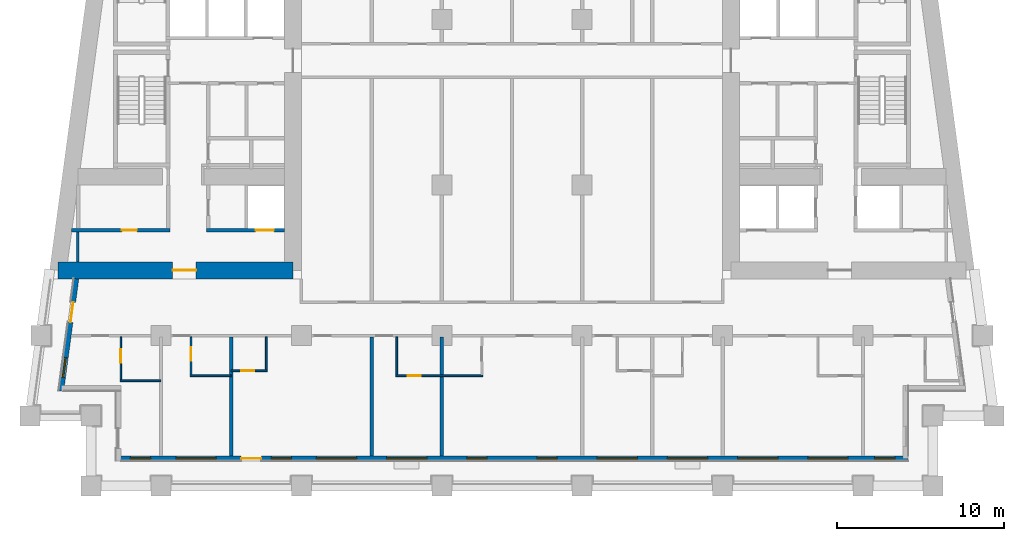
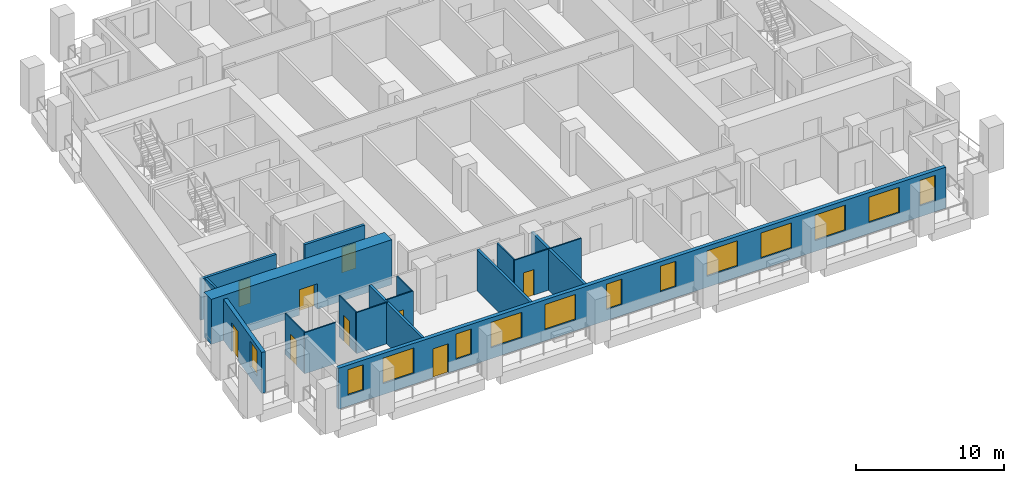
# One storey, part 2 of 13: 17 walls, 13 windows, 9 doors, 22 openings.
"""IFC4 building model written with IfcOpenShell, lengths in metres."""

from ifc_helpers import new_model, si_unit, direction, frame, frame_2d, origin, place, context, subcontext, project, spatial, rectangle, extrude, material, layer, layer_set, type_object, element, fill, save


model = new_model("IFC4")

# Units and contexts
model_context = context("Model", 3, precision=1e-05, world=origin(), true_north=direction((0.0, 1.0)))
body_context = subcontext(model_context, "Body", "Model", "MODEL_VIEW")
ifc_project = project(units=[si_unit("LENGTHUNIT", "METRE"), si_unit("AREAUNIT", "SQUARE_METRE"), si_unit("VOLUMEUNIT", "CUBIC_METRE"), si_unit("PLANEANGLEUNIT", "RADIAN"), si_unit("MASSUNIT", "GRAM", prefix="KILO")], contexts=[model_context])

# Site, building, storey
site_placement = place(None, origin())
site = spatial("IfcSite", under=ifc_project, at=site_placement, CompositionType="ELEMENT")
building_placement = place(site_placement, origin())
building = spatial("IfcBuilding", under=site, at=building_placement, Name="Candeia Pilgrim Tower and Theatre", CompositionType="ELEMENT")
storey_placement = place(building_placement, frame((0.0, 0.0, 102.10009765625)))
storey = spatial("IfcBuildingStorey", under=building, at=storey_placement, Name="L23", CompositionType="ELEMENT", Elevation=102.10009765625)

# Wall, opening, door
ifc_material_1 = material(Name="Concrete C70/85", Category="concrete")
ifc_layer_1 = layer(ifc_material_1, 1.0)
ifc_layer_set_1 = layer_set([ifc_layer_1], Name="Core wall 1000 C70/85")
wall_type_1 = type_object("IfcWallType", Name="Core wall 1000 C70/85", PredefinedType="SHEAR", material=ifc_layer_set_1)
wall_1_placement = place(storey_placement, frame((100.300048828125, 110.89990234375, 0.0), z_axis=(0.0, 0.0, 1.0), x_axis=(-1.0, 0.0, 0.0)))
wall_1 = element("IfcWall", 1, at=wall_1_placement, inside=storey, type_object=wall_type_1, Name="Core wall W3", PredefinedType="SHEAR", context=body_context, shape_type="SweptSolid", body=[
    extrude(rectangle(XDim=14.05908203125, YDim=1.0, at=frame_2d((7.029541015625, 0.0))), origin(), (0.0, 0.0, 1.0), 3.699951171875),
])
opening_1_placement = place(wall_1_placement, frame((5.801513671875, 0.0, 0.0)))
opening_1 = element("IfcOpeningElement", 2, at=opening_1_placement, cuts=wall_1, Name="Opening L23-D059", PredefinedType="OPENING", context=body_context, shape_type="SweptSolid", body=[
    extrude(rectangle(XDim=1.39990234375, YDim=2.10009765625, at=frame_2d((0.699951171875, 1.050048828125))), frame((0.0, 0.510009765625, 0.0), z_axis=(0.0, -1.0, 0.0), x_axis=(1.0, 0.0, 0.0)), (0.0, 0.0, 1.0), 1.02001953125),
])
ifc_material_2 = material(Name="Steel fire door set", Category="steel")
door_type_1 = type_object("IfcDoorType", Name="D-1400-FD60", OperationType="NOTDEFINED", PredefinedType="DOOR", material=ifc_material_2)
door_1_placement = place(opening_1_placement, origin())
door_1 = element("IfcDoor", 3, at=door_1_placement, inside=storey, type_object=door_type_1, Name="Door L23-D059", OperationType="SINGLE_SWING_RIGHT", OverallHeight=2.10009765625, OverallWidth=1.39990234375, PredefinedType="DOOR", context=body_context, shape_type="SweptSolid", body=[
    extrude(rectangle(XDim=1.39990234375, YDim=2.10009765625, at=frame_2d((0.699951171875, 1.050048828125))), frame((0.0, 0.02490234375, 0.0), z_axis=(0.0, -1.0, 0.0), x_axis=(1.0, 0.0, 0.0)), (0.0, 0.0, 1.0), 0.050048828125),
])
fill(opening_1, door_1)

# Wall, openings, door, windows
ifc_material_3 = material(Name="Ceramic block masonry", Category="masonry")
ifc_layer_2 = layer(ifc_material_3, 0.300048828125)
ifc_layer_set_2 = layer_set([ifc_layer_2], Name="EW1 glazing-line wall 300")
wall_type_2 = type_object("IfcWallType", Name="EW1 glazing-line wall 300", PredefinedType="SOLIDWALL", material=ifc_layer_set_2)
wall_2_placement = place(storey_placement, frame((89.85009765625, 99.64990234375, 0.0), z_axis=(0.0, 0.0, 1.0), x_axis=(1.0, 0.0, 0.0)))
wall_2 = element("IfcWall", 4, at=wall_2_placement, inside=storey, type_object=wall_type_2, Name="External wall L23-0.0", PredefinedType="SOLIDWALL", context=body_context, shape_type="SweptSolid", body=[
    extrude(rectangle(XDim=47.25, YDim=0.300048828125, at=frame_2d((23.625, 0.0))), origin(), (0.0, 0.0, 1.0), 3.3798828125),
])
opening_2_placement = place(wall_2_placement, frame((0.72509765625, 0.0, 0.89990234375)))
opening_2 = element("IfcOpeningElement", 5, at=opening_2_placement, cuts=wall_2, Name="Opening W-B", PredefinedType="OPENING", context=body_context, shape_type="SweptSolid", body=[
    extrude(rectangle(XDim=1.199951171875, YDim=2.10009765625, at=frame_2d((0.60009765625, 1.050048828125))), frame((0.0, 0.16015625, 0.0), z_axis=(0.0, -1.0, 0.0), x_axis=(1.0, 0.0, 0.0)), (0.0, 0.0, 1.0), 0.320068359375),
])
opening_3_placement = place(wall_2_placement, frame((3.449951171875, 0.0, 0.89990234375)))
opening_3 = element("IfcOpeningElement", 6, at=opening_3_placement, cuts=wall_2, Name="Opening W-A", PredefinedType="OPENING", context=body_context, shape_type="SweptSolid", body=[
    extrude(rectangle(XDim=2.39990234375, YDim=2.10009765625, at=frame_2d((1.199951171875, 1.050048828125))), frame((0.0, 0.16015625, 0.0), z_axis=(0.0, -1.0, 0.0), x_axis=(1.0, 0.0, 0.0)), (0.0, 0.0, 1.0), 0.320068359375),
])
opening_4_placement = place(wall_2_placement, frame((7.35009765625, 0.0, 0.0)))
opening_4 = element("IfcOpeningElement", 7, at=opening_4_placement, cuts=wall_2, Name="Opening L23-ED234", PredefinedType="OPENING", context=body_context, shape_type="SweptSolid", body=[
    extrude(rectangle(XDim=1.199951171875, YDim=2.39990234375, at=frame_2d((0.60009765625, 1.199951171875))), frame((0.0, 0.16015625, 0.0), z_axis=(0.0, -1.0, 0.0), x_axis=(1.0, 0.0, 0.0)), (0.0, 0.0, 1.0), 0.320068359375),
])
opening_5_placement = place(wall_2_placement, frame((9.14990234375, 0.0, 0.89990234375)))
opening_5 = element("IfcOpeningElement", 8, at=opening_5_placement, cuts=wall_2, Name="Opening W-B", PredefinedType="OPENING", context=body_context, shape_type="SweptSolid", body=[
    extrude(rectangle(XDim=1.199951171875, YDim=2.10009765625, at=frame_2d((0.60009765625, 1.050048828125))), frame((0.0, 0.16015625, 0.0), z_axis=(0.0, -1.0, 0.0), x_axis=(1.0, 0.0, 0.0)), (0.0, 0.0, 1.0), 0.320068359375),
])
opening_6_placement = place(wall_2_placement, frame((11.85009765625, 0.0, 0.89990234375)))
opening_6 = element("IfcOpeningElement", 9, at=opening_6_placement, cuts=wall_2, Name="Opening W-A", PredefinedType="OPENING", context=body_context, shape_type="SweptSolid", body=[
    extrude(rectangle(XDim=2.39990234375, YDim=2.10009765625, at=frame_2d((1.199951171875, 1.050048828125))), frame((0.0, 0.16015625, 0.0), z_axis=(0.0, -1.0, 0.0), x_axis=(1.0, 0.0, 0.0)), (0.0, 0.0, 1.0), 0.320068359375),
])
opening_7_placement = place(wall_2_placement, frame((16.050048828125, 0.0, 0.89990234375)))
opening_7 = element("IfcOpeningElement", 10, at=opening_7_placement, cuts=wall_2, Name="Opening W-A", PredefinedType="OPENING", context=body_context, shape_type="SweptSolid", body=[
    extrude(rectangle(XDim=2.39990234375, YDim=2.10009765625, at=frame_2d((1.199951171875, 1.050048828125))), frame((0.0, 0.16015625, 0.0), z_axis=(0.0, -1.0, 0.0), x_axis=(1.0, 0.0, 0.0)), (0.0, 0.0, 1.0), 0.320068359375),
])
opening_8_placement = place(wall_2_placement, frame((20.85009765625, 0.0, 0.89990234375)))
opening_8 = element("IfcOpeningElement", 11, at=opening_8_placement, cuts=wall_2, Name="Opening W-B", PredefinedType="OPENING", context=body_context, shape_type="SweptSolid", body=[
    extrude(rectangle(XDim=1.199951171875, YDim=2.10009765625, at=frame_2d((0.60009765625, 1.050048828125))), frame((0.0, 0.16015625, 0.0), z_axis=(0.0, -1.0, 0.0), x_axis=(1.0, 0.0, 0.0)), (0.0, 0.0, 1.0), 0.320068359375),
])
opening_9_placement = place(wall_2_placement, frame((25.050048828125, 0.0, 0.89990234375)))
opening_9 = element("IfcOpeningElement", 12, at=opening_9_placement, cuts=wall_2, Name="Opening W-B", PredefinedType="OPENING", context=body_context, shape_type="SweptSolid", body=[
    extrude(rectangle(XDim=1.199951171875, YDim=2.10009765625, at=frame_2d((0.60009765625, 1.050048828125))), frame((0.0, 0.16015625, 0.0), z_axis=(0.0, -1.0, 0.0), x_axis=(1.0, 0.0, 0.0)), (0.0, 0.0, 1.0), 0.320068359375),
])
opening_10_placement = place(wall_2_placement, frame((28.64990234375, 0.0, 0.89990234375)))
opening_10 = element("IfcOpeningElement", 13, at=opening_10_placement, cuts=wall_2, Name="Opening W-A", PredefinedType="OPENING", context=body_context, shape_type="SweptSolid", body=[
    extrude(rectangle(XDim=2.39990234375, YDim=2.10009765625, at=frame_2d((1.199951171875, 1.050048828125))), frame((0.0, 0.16015625, 0.0), z_axis=(0.0, -1.0, 0.0), x_axis=(1.0, 0.0, 0.0)), (0.0, 0.0, 1.0), 0.320068359375),
])
opening_11_placement = place(wall_2_placement, frame((32.85009765625, 0.0, 0.89990234375)))
opening_11 = element("IfcOpeningElement", 14, at=opening_11_placement, cuts=wall_2, Name="Opening W-A", PredefinedType="OPENING", context=body_context, shape_type="SweptSolid", body=[
    extrude(rectangle(XDim=2.39990234375, YDim=2.10009765625, at=frame_2d((1.199951171875, 1.050048828125))), frame((0.0, 0.16015625, 0.0), z_axis=(0.0, -1.0, 0.0), x_axis=(1.0, 0.0, 0.0)), (0.0, 0.0, 1.0), 0.320068359375),
])
opening_12_placement = place(wall_2_placement, frame((37.050048828125, 0.0, 0.89990234375)))
opening_12 = element("IfcOpeningElement", 15, at=opening_12_placement, cuts=wall_2, Name="Opening W-A", PredefinedType="OPENING", context=body_context, shape_type="SweptSolid", body=[
    extrude(rectangle(XDim=2.39990234375, YDim=2.10009765625, at=frame_2d((1.199951171875, 1.050048828125))), frame((0.0, 0.16015625, 0.0), z_axis=(0.0, -1.0, 0.0), x_axis=(1.0, 0.0, 0.0)), (0.0, 0.0, 1.0), 0.320068359375),
])
opening_13_placement = place(wall_2_placement, frame((41.25, 0.0, 0.89990234375)))
opening_13 = element("IfcOpeningElement", 16, at=opening_13_placement, cuts=wall_2, Name="Opening W-A", PredefinedType="OPENING", context=body_context, shape_type="SweptSolid", body=[
    extrude(rectangle(XDim=2.39990234375, YDim=2.10009765625, at=frame_2d((1.199951171875, 1.050048828125))), frame((0.0, 0.16015625, 0.0), z_axis=(0.0, -1.0, 0.0), x_axis=(1.0, 0.0, 0.0)), (0.0, 0.0, 1.0), 0.320068359375),
])
opening_14_placement = place(wall_2_placement, frame((45.25, 0.0, 0.89990234375)))
opening_14 = element("IfcOpeningElement", 17, at=opening_14_placement, cuts=wall_2, Name="Opening W-B", PredefinedType="OPENING", context=body_context, shape_type="SweptSolid", body=[
    extrude(rectangle(XDim=1.199951171875, YDim=2.10009765625, at=frame_2d((0.60009765625, 1.050048828125))), frame((0.0, 0.16015625, 0.0), z_axis=(0.0, -1.0, 0.0), x_axis=(1.0, 0.0, 0.0)), (0.0, 0.0, 1.0), 0.320068359375),
])
ifc_material_4 = material(Name="Aluminium framed glazed door", Category="aluminium")
door_type_2 = type_object("IfcDoorType", Name="Loggia door 1200x2400", OperationType="DOUBLE_DOOR_SINGLE_SWING", PredefinedType="DOOR", material=ifc_material_4)
door_2_placement = place(opening_4_placement, origin())
door_2 = element("IfcDoor", 18, at=door_2_placement, inside=storey, type_object=door_type_2, Name="Loggia door L23-ED234", OperationType="DOUBLE_DOOR_SINGLE_SWING", OverallHeight=2.39990234375, OverallWidth=1.199951171875, PredefinedType="DOOR", context=body_context, shape_type="SweptSolid", body=[
    extrude(rectangle(XDim=1.199951171875, YDim=2.39990234375, at=frame_2d((0.60009765625, 1.199951171875))), frame((0.0, 0.02490234375, 0.0), z_axis=(0.0, -1.0, 0.0), x_axis=(1.0, 0.0, 0.0)), (0.0, 0.0, 1.0), 0.050048828125),
])
fill(opening_4, door_2)
ifc_material_5 = material(Name="Aluminium framed double glazing", Category="aluminium")
window_type_1 = type_object("IfcWindowType", Name="W-A window 2400x2100", PartitioningType="DOUBLE_PANEL_VERTICAL", PredefinedType="WINDOW", material=ifc_material_5)
window_1_placement = place(opening_3_placement, origin())
window_1 = element("IfcWindow", 19, at=window_1_placement, inside=storey, type_object=window_type_1, Name="Window W-A L23", OverallHeight=2.10009765625, OverallWidth=2.39990234375, PartitioningType="SINGLE_PANEL", PredefinedType="WINDOW", context=body_context, shape_type="SweptSolid", body=[
    extrude(rectangle(XDim=2.39990234375, YDim=2.10009765625, at=frame_2d((1.199951171875, 1.050048828125))), frame((0.0, 0.030029296875, 0.0), z_axis=(0.0, -1.0, 0.0), x_axis=(1.0, 0.0, 0.0)), (0.0, 0.0, 1.0), 0.06005859375),
])
fill(opening_3, window_1)
window_2_placement = place(opening_6_placement, origin())
window_2 = element("IfcWindow", 20, at=window_2_placement, inside=storey, type_object=window_type_1, Name="Window W-A L23", OverallHeight=2.10009765625, OverallWidth=2.39990234375, PartitioningType="SINGLE_PANEL", PredefinedType="WINDOW", context=body_context, shape_type="SweptSolid", body=[
    extrude(rectangle(XDim=2.39990234375, YDim=2.10009765625, at=frame_2d((1.199951171875, 1.050048828125))), frame((0.0, 0.030029296875, 0.0), z_axis=(0.0, -1.0, 0.0), x_axis=(1.0, 0.0, 0.0)), (0.0, 0.0, 1.0), 0.06005859375),
])
fill(opening_6, window_2)
window_3_placement = place(opening_7_placement, origin())
window_3 = element("IfcWindow", 21, at=window_3_placement, inside=storey, type_object=window_type_1, Name="Window W-A L23", OverallHeight=2.10009765625, OverallWidth=2.39990234375, PartitioningType="SINGLE_PANEL", PredefinedType="WINDOW", context=body_context, shape_type="SweptSolid", body=[
    extrude(rectangle(XDim=2.39990234375, YDim=2.10009765625, at=frame_2d((1.199951171875, 1.050048828125))), frame((0.0, 0.030029296875, 0.0), z_axis=(0.0, -1.0, 0.0), x_axis=(1.0, 0.0, 0.0)), (0.0, 0.0, 1.0), 0.06005859375),
])
fill(opening_7, window_3)
window_4_placement = place(opening_10_placement, origin())
window_4 = element("IfcWindow", 22, at=window_4_placement, inside=storey, type_object=window_type_1, Name="Window W-A L23", OverallHeight=2.10009765625, OverallWidth=2.39990234375, PartitioningType="SINGLE_PANEL", PredefinedType="WINDOW", context=body_context, shape_type="SweptSolid", body=[
    extrude(rectangle(XDim=2.39990234375, YDim=2.10009765625, at=frame_2d((1.199951171875, 1.050048828125))), frame((0.0, 0.030029296875, 0.0), z_axis=(0.0, -1.0, 0.0), x_axis=(1.0, 0.0, 0.0)), (0.0, 0.0, 1.0), 0.06005859375),
])
fill(opening_10, window_4)
window_5_placement = place(opening_11_placement, origin())
window_5 = element("IfcWindow", 23, at=window_5_placement, inside=storey, type_object=window_type_1, Name="Window W-A L23", OverallHeight=2.10009765625, OverallWidth=2.39990234375, PartitioningType="SINGLE_PANEL", PredefinedType="WINDOW", context=body_context, shape_type="SweptSolid", body=[
    extrude(rectangle(XDim=2.39990234375, YDim=2.10009765625, at=frame_2d((1.199951171875, 1.050048828125))), frame((0.0, 0.030029296875, 0.0), z_axis=(0.0, -1.0, 0.0), x_axis=(1.0, 0.0, 0.0)), (0.0, 0.0, 1.0), 0.06005859375),
])
fill(opening_11, window_5)
window_6_placement = place(opening_12_placement, origin())
window_6 = element("IfcWindow", 24, at=window_6_placement, inside=storey, type_object=window_type_1, Name="Window W-A L23", OverallHeight=2.10009765625, OverallWidth=2.39990234375, PartitioningType="SINGLE_PANEL", PredefinedType="WINDOW", context=body_context, shape_type="SweptSolid", body=[
    extrude(rectangle(XDim=2.39990234375, YDim=2.10009765625, at=frame_2d((1.199951171875, 1.050048828125))), frame((0.0, 0.030029296875, 0.0), z_axis=(0.0, -1.0, 0.0), x_axis=(1.0, 0.0, 0.0)), (0.0, 0.0, 1.0), 0.06005859375),
])
fill(opening_12, window_6)
window_7_placement = place(opening_13_placement, origin())
window_7 = element("IfcWindow", 25, at=window_7_placement, inside=storey, type_object=window_type_1, Name="Window W-A L23", OverallHeight=2.10009765625, OverallWidth=2.39990234375, PartitioningType="SINGLE_PANEL", PredefinedType="WINDOW", context=body_context, shape_type="SweptSolid", body=[
    extrude(rectangle(XDim=2.39990234375, YDim=2.10009765625, at=frame_2d((1.199951171875, 1.050048828125))), frame((0.0, 0.030029296875, 0.0), z_axis=(0.0, -1.0, 0.0), x_axis=(1.0, 0.0, 0.0)), (0.0, 0.0, 1.0), 0.06005859375),
])
fill(opening_13, window_7)
window_type_2 = type_object("IfcWindowType", Name="W-B window 1200x2100", PartitioningType="SINGLE_PANEL", PredefinedType="WINDOW", material=ifc_material_5)
window_8_placement = place(opening_2_placement, origin())
window_8 = element("IfcWindow", 26, at=window_8_placement, inside=storey, type_object=window_type_2, Name="Window W-B L23", OverallHeight=2.10009765625, OverallWidth=1.199951171875, PartitioningType="SINGLE_PANEL", PredefinedType="WINDOW", context=body_context, shape_type="SweptSolid", body=[
    extrude(rectangle(XDim=1.199951171875, YDim=2.10009765625, at=frame_2d((0.60009765625, 1.050048828125))), frame((0.0, 0.030029296875, 0.0), z_axis=(0.0, -1.0, 0.0), x_axis=(1.0, 0.0, 0.0)), (0.0, 0.0, 1.0), 0.06005859375),
])
fill(opening_2, window_8)
window_9_placement = place(opening_5_placement, origin())
window_9 = element("IfcWindow", 27, at=window_9_placement, inside=storey, type_object=window_type_2, Name="Window W-B L23", OverallHeight=2.10009765625, OverallWidth=1.199951171875, PartitioningType="SINGLE_PANEL", PredefinedType="WINDOW", context=body_context, shape_type="SweptSolid", body=[
    extrude(rectangle(XDim=1.199951171875, YDim=2.10009765625, at=frame_2d((0.60009765625, 1.050048828125))), frame((0.0, 0.030029296875, 0.0), z_axis=(0.0, -1.0, 0.0), x_axis=(1.0, 0.0, 0.0)), (0.0, 0.0, 1.0), 0.06005859375),
])
fill(opening_5, window_9)
window_10_placement = place(opening_8_placement, origin())
window_10 = element("IfcWindow", 28, at=window_10_placement, inside=storey, type_object=window_type_2, Name="Window W-B L23", OverallHeight=2.10009765625, OverallWidth=1.199951171875, PartitioningType="SINGLE_PANEL", PredefinedType="WINDOW", context=body_context, shape_type="SweptSolid", body=[
    extrude(rectangle(XDim=1.199951171875, YDim=2.10009765625, at=frame_2d((0.60009765625, 1.050048828125))), frame((0.0, 0.030029296875, 0.0), z_axis=(0.0, -1.0, 0.0), x_axis=(1.0, 0.0, 0.0)), (0.0, 0.0, 1.0), 0.06005859375),
])
fill(opening_8, window_10)
window_11_placement = place(opening_9_placement, origin())
window_11 = element("IfcWindow", 29, at=window_11_placement, inside=storey, type_object=window_type_2, Name="Window W-B L23", OverallHeight=2.10009765625, OverallWidth=1.199951171875, PartitioningType="SINGLE_PANEL", PredefinedType="WINDOW", context=body_context, shape_type="SweptSolid", body=[
    extrude(rectangle(XDim=1.199951171875, YDim=2.10009765625, at=frame_2d((0.60009765625, 1.050048828125))), frame((0.0, 0.030029296875, 0.0), z_axis=(0.0, -1.0, 0.0), x_axis=(1.0, 0.0, 0.0)), (0.0, 0.0, 1.0), 0.06005859375),
])
fill(opening_9, window_11)
window_12_placement = place(opening_14_placement, origin())
window_12 = element("IfcWindow", 30, at=window_12_placement, inside=storey, type_object=window_type_2, Name="Window W-B L23", OverallHeight=2.10009765625, OverallWidth=1.199951171875, PartitioningType="SINGLE_PANEL", PredefinedType="WINDOW", context=body_context, shape_type="SweptSolid", body=[
    extrude(rectangle(XDim=1.199951171875, YDim=2.10009765625, at=frame_2d((0.60009765625, 1.050048828125))), frame((0.0, 0.030029296875, 0.0), z_axis=(0.0, -1.0, 0.0), x_axis=(1.0, 0.0, 0.0)), (0.0, 0.0, 1.0), 0.06005859375),
])
fill(opening_14, window_12)

# Wall, openings, door, window
wall_3_placement = place(storey_placement, frame((87.334228515625, 110.39990234375, 0.0), z_axis=(0.0, 0.0, 1.0), x_axis=(-0.133437175554, -0.991057273915, 0.0)))
wall_3 = element("IfcWall", 31, at=wall_3_placement, inside=storey, type_object=wall_type_2, Name="External wall L23-9.1", PredefinedType="SOLIDWALL", context=body_context, shape_type="SweptSolid", body=[
    extrude(rectangle(XDim=6.780517578125, YDim=0.300048828125, at=frame_2d((3.39013671875, 0.0))), origin(), (0.0, 0.0, 1.0), 3.3798828125),
])
opening_15_placement = place(wall_3_placement, frame((1.41796875, 0.0, 0.0)))
opening_15 = element("IfcOpeningElement", 32, at=opening_15_placement, cuts=wall_3, Name="Opening L23-ED241", PredefinedType="OPENING", context=body_context, shape_type="SweptSolid", body=[
    extrude(rectangle(XDim=1.199951171875, YDim=2.39990234375, at=frame_2d((0.60009765625, 1.199951171875))), frame((0.0, 0.16015625, 0.0), z_axis=(0.0, -1.0, 0.0), x_axis=(1.0, 0.0, 0.0)), (0.0, 0.0, 1.0), 0.320068359375),
])
opening_16_placement = place(wall_3_placement, frame((4.75830078125, 0.0, 0.89990234375)))
opening_16 = element("IfcOpeningElement", 33, at=opening_16_placement, cuts=wall_3, Name="Opening W-B", PredefinedType="OPENING", context=body_context, shape_type="SweptSolid", body=[
    extrude(rectangle(XDim=1.199951171875, YDim=2.10009765625, at=frame_2d((0.60009765625, 1.050048828125))), frame((0.0, 0.16015625, 0.0), z_axis=(0.0, -1.0, 0.0), x_axis=(1.0, 0.0, 0.0)), (0.0, 0.0, 1.0), 0.320068359375),
])
door_3_placement = place(opening_15_placement, origin())
door_3 = element("IfcDoor", 34, at=door_3_placement, inside=storey, type_object=door_type_2, Name="Loggia door L23-ED241", OperationType="DOUBLE_DOOR_SINGLE_SWING", OverallHeight=2.39990234375, OverallWidth=1.199951171875, PredefinedType="DOOR", context=body_context, shape_type="SweptSolid", body=[
    extrude(rectangle(XDim=1.199951171875, YDim=2.39990234375, at=frame_2d((0.60009765625, 1.199951171875))), frame((0.0, 0.02490234375, 0.0), z_axis=(0.0, -1.0, 0.0), x_axis=(1.0, 0.0, 0.0)), (0.0, 0.0, 1.0), 0.050048828125),
])
fill(opening_15, door_3)
window_13_placement = place(opening_16_placement, origin())
window_13 = element("IfcWindow", 35, at=window_13_placement, inside=storey, type_object=window_type_2, Name="Window W-B L23", OverallHeight=2.10009765625, OverallWidth=1.199951171875, PartitioningType="SINGLE_PANEL", PredefinedType="WINDOW", context=body_context, shape_type="SweptSolid", body=[
    extrude(rectangle(XDim=1.199951171875, YDim=2.10009765625, at=frame_2d((0.60009765625, 1.050048828125))), frame((0.0, 0.030029296875, 0.0), z_axis=(0.0, -1.0, 0.0), x_axis=(1.0, 0.0, 0.0)), (0.0, 0.0, 1.0), 0.06005859375),
])
fill(opening_16, window_13)

# Walls
ifc_material_6 = material(Name="Gypsum board partition on steel studs", Category="steel")
ifc_layer_3 = layer(ifc_material_6, 0.10009765625)
ifc_layer_set_3 = layer_set([ifc_layer_3], Name="PW-100 room partition")
wall_type_3 = type_object("IfcWallType", Name="PW-100 room partition", PredefinedType="PARTITIONING", material=ifc_layer_set_3)
wall_4_placement = place(storey_placement, frame((89.949951171875, 104.300048828125, 0.0), z_axis=(0.0, 0.0, 1.0), x_axis=(1.0, 0.0, 0.0)))
element("IfcWall", 36, at=wall_4_placement, inside=storey, type_object=wall_type_3, Name="Room partition L23-001", PredefinedType="PARTITIONING", context=body_context, shape_type="SweptSolid", body=[
    extrude(rectangle(XDim=2.449951171875, YDim=0.10009765625, at=frame_2d((1.22509765625, 0.0))), origin(), (0.0, 0.0, 1.0), 3.3798828125),
])
wall_5_placement = place(storey_placement, frame((94.14990234375, 104.60009765625, 0.0), z_axis=(0.0, 0.0, 1.0), x_axis=(1.0, 0.0, 0.0)))
element("IfcWall", 37, at=wall_5_placement, inside=storey, type_object=wall_type_3, Name="Room partition L23-003", PredefinedType="PARTITIONING", context=body_context, shape_type="SweptSolid", body=[
    extrude(rectangle(XDim=2.4501953125, YDim=0.10009765625, at=frame_2d((1.22509765625, 0.0))), origin(), (0.0, 0.0, 1.0), 3.3798828125),
])

# Wall, opening, door
wall_6_placement = place(storey_placement, frame((106.449951171875, 104.60009765625, 0.0), z_axis=(0.0, 0.0, 1.0), x_axis=(1.0, 0.0, 0.0)))
wall_6 = element("IfcWall", 38, at=wall_6_placement, inside=storey, type_object=wall_type_3, Name="Room partition L23-004", PredefinedType="PARTITIONING", context=body_context, shape_type="SweptSolid", body=[
    extrude(rectangle(XDim=5.199951171875, YDim=0.10009765625, at=frame_2d((2.60009765625, 0.0))), origin(), (0.0, 0.0, 1.0), 3.3798828125),
])
opening_17_placement = place(wall_6_placement, frame((0.699951171875, 0.0, 0.0)))
opening_17 = element("IfcOpeningElement", 39, at=opening_17_placement, cuts=wall_6, Name="Opening L23-D023", PredefinedType="OPENING", context=body_context, shape_type="SweptSolid", body=[
    extrude(rectangle(XDim=0.800048828125, YDim=2.10009765625, at=frame_2d((0.39990234375, 1.050048828125))), frame((0.0, 0.06005859375, 0.0), z_axis=(0.0, -1.0, 0.0), x_axis=(1.0, 0.0, 0.0)), (0.0, 0.0, 1.0), 0.1201171875),
])
ifc_material_7 = material(Name="Timber door leaf", Category="wood")
door_type_3 = type_object("IfcDoorType", Name="D-800", OperationType="NOTDEFINED", PredefinedType="DOOR", material=ifc_material_7)
door_4_placement = place(opening_17_placement, origin())
door_4 = element("IfcDoor", 40, at=door_4_placement, inside=storey, type_object=door_type_3, Name="Door L23-D023", OperationType="SINGLE_SWING_RIGHT", OverallHeight=2.10009765625, OverallWidth=0.800048828125, PredefinedType="DOOR", context=body_context, shape_type="SweptSolid", body=[
    extrude(rectangle(XDim=0.800048828125, YDim=2.10009765625, at=frame_2d((0.39990234375, 1.050048828125))), frame((0.0, 0.02490234375, 0.0), z_axis=(0.0, -1.0, 0.0), x_axis=(1.0, 0.0, 0.0)), (0.0, 0.0, 1.0), 0.050048828125),
])
fill(opening_17, door_4)

wall_7_placement = place(storey_placement, frame((96.60009765625, 104.89990234375, 0.0), z_axis=(0.0, 0.0, 1.0), x_axis=(1.0, 0.0, 0.0)))
wall_7 = element("IfcWall", 41, at=wall_7_placement, inside=storey, type_object=wall_type_3, Name="Room partition L23-007", PredefinedType="PARTITIONING", context=body_context, shape_type="SweptSolid", body=[
    extrude(rectangle(XDim=2.14990234375, YDim=0.10009765625, at=frame_2d((1.074951171875, 0.0))), origin(), (0.0, 0.0, 1.0), 3.3798828125),
])
opening_18_placement = place(wall_7_placement, frame((0.590087890625, 0.0, 0.0)))
opening_18 = element("IfcOpeningElement", 42, at=opening_18_placement, cuts=wall_7, Name="Opening L23-D021", PredefinedType="OPENING", context=body_context, shape_type="SweptSolid", body=[
    extrude(rectangle(XDim=0.800048828125, YDim=2.10009765625, at=frame_2d((0.39990234375, 1.050048828125))), frame((0.0, 0.06005859375, 0.0), z_axis=(0.0, -1.0, 0.0), x_axis=(1.0, 0.0, 0.0)), (0.0, 0.0, 1.0), 0.1201171875),
])
door_5_placement = place(opening_18_placement, origin())
door_5 = element("IfcDoor", 43, at=door_5_placement, inside=storey, type_object=door_type_3, Name="Door L23-D021", OperationType="SINGLE_SWING_RIGHT", OverallHeight=2.10009765625, OverallWidth=0.800048828125, PredefinedType="DOOR", context=body_context, shape_type="SweptSolid", body=[
    extrude(rectangle(XDim=0.800048828125, YDim=2.10009765625, at=frame_2d((0.39990234375, 1.050048828125))), frame((0.0, 0.02490234375, 0.0), z_axis=(0.0, -1.0, 0.0), x_axis=(1.0, 0.0, 0.0)), (0.0, 0.0, 1.0), 0.050048828125),
])
fill(opening_18, door_5)

wall_8_placement = place(storey_placement, frame((90.0, 104.35009765625, 0.0), z_axis=(0.0, 0.0, 1.0), x_axis=(0.0, 1.0, 0.0)))
wall_8 = element("IfcWall", 44, at=wall_8_placement, inside=storey, type_object=wall_type_3, Name="Room partition L23-052", PredefinedType="PARTITIONING", context=body_context, shape_type="SweptSolid", body=[
    extrude(rectangle(XDim=2.574951171875, YDim=0.10009765625, at=frame_2d((1.28759765625, 0.0))), origin(), (0.0, 0.0, 1.0), 3.3798828125),
])
opening_19_placement = place(wall_8_placement, frame((1.02001953125, 0.0, 0.0)))
opening_19 = element("IfcOpeningElement", 45, at=opening_19_placement, cuts=wall_8, Name="Opening L23-D017", PredefinedType="OPENING", context=body_context, shape_type="SweptSolid", body=[
    extrude(rectangle(XDim=0.800048828125, YDim=2.10009765625, at=frame_2d((0.39990234375, 1.050048828125))), frame((0.0, 0.06005859375, 0.0), z_axis=(0.0, -1.0, 0.0), x_axis=(1.0, 0.0, 0.0)), (0.0, 0.0, 1.0), 0.1201171875),
])
door_6_placement = place(opening_19_placement, origin())
door_6 = element("IfcDoor", 46, at=door_6_placement, inside=storey, type_object=door_type_3, Name="Door L23-D017", OperationType="SINGLE_SWING_RIGHT", OverallHeight=2.10009765625, OverallWidth=0.800048828125, PredefinedType="DOOR", context=body_context, shape_type="SweptSolid", body=[
    extrude(rectangle(XDim=0.800048828125, YDim=2.10009765625, at=frame_2d((0.39990234375, 1.050048828125))), frame((0.0, 0.02490234375, 0.0), z_axis=(0.0, -1.0, 0.0), x_axis=(1.0, 0.0, 0.0)), (0.0, 0.0, 1.0), 0.050048828125),
])
fill(opening_19, door_6)

wall_9_placement = place(storey_placement, frame((94.199951171875, 104.64990234375, 0.0), z_axis=(0.0, 0.0, 1.0), x_axis=(0.0, 1.0, 0.0)))
wall_9 = element("IfcWall", 47, at=wall_9_placement, inside=storey, type_object=wall_type_3, Name="Room partition L23-060", PredefinedType="PARTITIONING", context=body_context, shape_type="SweptSolid", body=[
    extrude(rectangle(XDim=2.275146484375, YDim=0.10009765625, at=frame_2d((1.1376953125, 0.0))), origin(), (0.0, 0.0, 1.0), 3.3798828125),
])
opening_20_placement = place(wall_9_placement, frame((0.840087890625, 0.0, 0.0)))
opening_20 = element("IfcOpeningElement", 48, at=opening_20_placement, cuts=wall_9, Name="Opening L23-D019", PredefinedType="OPENING", context=body_context, shape_type="SweptSolid", body=[
    extrude(rectangle(XDim=0.800048828125, YDim=2.10009765625, at=frame_2d((0.39990234375, 1.050048828125))), frame((0.0, 0.06005859375, 0.0), z_axis=(0.0, -1.0, 0.0), x_axis=(1.0, 0.0, 0.0)), (0.0, 0.0, 1.0), 0.1201171875),
])
door_7_placement = place(opening_20_placement, origin())
door_7 = element("IfcDoor", 49, at=door_7_placement, inside=storey, type_object=door_type_3, Name="Door L23-D019", OperationType="SINGLE_SWING_RIGHT", OverallHeight=2.10009765625, OverallWidth=0.800048828125, PredefinedType="DOOR", context=body_context, shape_type="SweptSolid", body=[
    extrude(rectangle(XDim=0.800048828125, YDim=2.10009765625, at=frame_2d((0.39990234375, 1.050048828125))), frame((0.0, 0.02490234375, 0.0), z_axis=(0.0, -1.0, 0.0), x_axis=(1.0, 0.0, 0.0)), (0.0, 0.0, 1.0), 0.050048828125),
])
fill(opening_20, door_7)

# Walls
wall_10_placement = place(storey_placement, frame((98.699951171875, 104.949951171875, 0.0), z_axis=(0.0, 0.0, 1.0), x_axis=(0.0, 1.0, 0.0)))
element("IfcWall", 50, at=wall_10_placement, inside=storey, type_object=wall_type_3, Name="Room partition L23-071", PredefinedType="PARTITIONING", context=body_context, shape_type="SweptSolid", body=[
    extrude(rectangle(XDim=1.97509765625, YDim=0.10009765625, at=frame_2d((0.987548828125, 0.0))), origin(), (0.0, 0.0, 1.0), 3.3798828125),
])
wall_11_placement = place(storey_placement, frame((106.5, 104.64990234375, 0.0), z_axis=(0.0, 0.0, 1.0), x_axis=(0.0, 1.0, 0.0)))
element("IfcWall", 51, at=wall_11_placement, inside=storey, type_object=wall_type_3, Name="Room partition L23-079", PredefinedType="PARTITIONING", context=body_context, shape_type="SweptSolid", body=[
    extrude(rectangle(XDim=2.275146484375, YDim=0.10009765625, at=frame_2d((1.1376953125, 0.0))), origin(), (0.0, 0.0, 1.0), 3.3798828125),
])
ifc_layer_4 = layer(ifc_material_6, 0.14990234375)
ifc_layer_set_4 = layer_set([ifc_layer_4], Name="PW-150 lobby wall")
wall_type_4 = type_object("IfcWallType", Name="PW-150 lobby wall", PredefinedType="PARTITIONING", material=ifc_layer_set_4)
wall_12_placement = place(storey_placement, frame((87.428955078125, 111.39990234375, 0.0), z_axis=(0.0, 0.0, 1.0), x_axis=(0.0, 1.0, 0.0)))
element("IfcWall", 52, at=wall_12_placement, inside=storey, type_object=wall_type_4, Name="Lobby wall L23-049", PredefinedType="PARTITIONING", context=body_context, shape_type="SweptSolid", body=[
    extrude(rectangle(XDim=1.800048828125, YDim=0.14990234375, at=frame_2d((0.89990234375, 0.0))), origin(), (0.0, 0.0, 1.0), 3.3798828125),
])
ifc_layer_5 = layer(ifc_material_6, 0.199951171875)
ifc_layer_set_5 = layer_set([ifc_layer_5], Name="PW-200 party wall")
wall_type_5 = type_object("IfcWallType", Name="PW-200 party wall", PredefinedType="PARTITIONING", material=ifc_layer_set_5)
for number, where, z_axis, x_axis, name in (
    (53, (96.60009765625, 99.7900390625, 0.0), (0.0, 0.0, 1.0), (0.0, 1.0, 0.0), "Party wall L23-065"),
    (54, (105.0, 99.7900390625, 0.0), (0.0, 0.0, 1.0), (0.0, 1.0, 0.0), "Party wall L23-075"),
    (55, (109.199951171875, 99.7900390625, 0.0), (0.0, 0.0, 1.0), (0.0, 1.0, 0.0), "Party wall L23-082"),
):
    element("IfcWall", number, at=place(storey_placement, frame(where, z_axis=z_axis, x_axis=x_axis)), inside=storey, type_object=wall_type_5, Name=name, PredefinedType="PARTITIONING", context=body_context, shape_type="SweptSolid", body=[
        extrude(rectangle(XDim=7.135009765625, YDim=0.199951171875, at=frame_2d((3.5673828125, 0.0))), origin(), (0.0, 0.0, 1.0), 3.3798828125),
    ])

# Wall, opening, door
ifc_material_8 = material(Name="Concrete C40/50", Category="concrete")
ifc_layer_6 = layer(ifc_material_8, 0.199951171875)
ifc_layer_set_6 = layer_set([ifc_layer_6], Name="SW-200 shaft wall")
wall_type_6 = type_object("IfcWallType", Name="SW-200 shaft wall", PredefinedType="PARTITIONING", material=ifc_layer_set_6)
wall_13_placement = place(storey_placement, frame((87.03857421875, 113.300048828125, 0.0), z_axis=(0.0, 0.0, 1.0), x_axis=(1.0, 0.0, 0.0)))
wall_13 = element("IfcWall", 56, at=wall_13_placement, inside=storey, type_object=wall_type_6, Name="Shaft wall L23-011", PredefinedType="PARTITIONING", context=body_context, shape_type="SweptSolid", body=[
    extrude(rectangle(XDim=5.888427734375, YDim=0.199951171875, at=frame_2d((2.9443359375, 0.0))), origin(), (0.0, 0.0, 1.0), 3.3798828125),
])
opening_21_placement = place(wall_13_placement, frame((3.019287109375, 0.0, 0.0)))
opening_21 = element("IfcOpeningElement", 57, at=opening_21_placement, cuts=wall_13, Name="Opening L23-D007", PredefinedType="OPENING", context=body_context, shape_type="SweptSolid", body=[
    extrude(rectangle(XDim=0.89990234375, YDim=2.10009765625, at=frame_2d((0.449951171875, 1.050048828125))), frame((0.0, 0.10986328125, 0.0), z_axis=(0.0, -1.0, 0.0), x_axis=(1.0, 0.0, 0.0)), (0.0, 0.0, 1.0), 0.219970703125),
])
door_type_4 = type_object("IfcDoorType", Name="D-900-FD60", OperationType="NOTDEFINED", PredefinedType="DOOR", material=ifc_material_2)
door_8_placement = place(opening_21_placement, origin())
door_8 = element("IfcDoor", 58, at=door_8_placement, inside=storey, type_object=door_type_4, Name="Door L23-D007", OperationType="SINGLE_SWING_LEFT", OverallHeight=2.10009765625, OverallWidth=0.89990234375, PredefinedType="DOOR", context=body_context, shape_type="SweptSolid", body=[
    extrude(rectangle(XDim=0.89990234375, YDim=2.10009765625, at=frame_2d((0.449951171875, 1.050048828125))), frame((0.0, 0.02490234375, 0.0), z_axis=(0.0, -1.0, 0.0), x_axis=(1.0, 0.0, 0.0)), (0.0, 0.0, 1.0), 0.050048828125),
])
fill(opening_21, door_8)

wall_14_placement = place(storey_placement, frame((95.126953125, 113.300048828125, 0.0), z_axis=(0.0, 0.0, 1.0), x_axis=(1.0, 0.0, 0.0)))
wall_14 = element("IfcWall", 59, at=wall_14_placement, inside=storey, type_object=wall_type_6, Name="Shaft wall L23-012", PredefinedType="PARTITIONING", context=body_context, shape_type="SweptSolid", body=[
    extrude(rectangle(XDim=4.673095703125, YDim=0.199951171875, at=frame_2d((2.33642578125, 0.0))), origin(), (0.0, 0.0, 1.0), 3.3798828125),
])
opening_22_placement = place(wall_14_placement, frame((2.930908203125, 0.0, 0.0)))
opening_22 = element("IfcOpeningElement", 60, at=opening_22_placement, cuts=wall_14, Name="Opening L23-LD03", PredefinedType="OPENING", context=body_context, shape_type="SweptSolid", body=[
    extrude(rectangle(XDim=1.10009765625, YDim=2.10009765625, at=frame_2d((0.550048828125, 1.050048828125))), frame((0.0, 0.10986328125, 0.0), z_axis=(0.0, -1.0, 0.0), x_axis=(1.0, 0.0, 0.0)), (0.0, 0.0, 1.0), 0.219970703125),
])
ifc_material_9 = material(Name="Glazed aluminium landing door", Category="aluminium")
door_type_5 = type_object("IfcDoorType", Name="LD-1100-EI120", OperationType="SLIDING_TO_LEFT", PredefinedType="DOOR", material=ifc_material_9)
door_9_placement = place(opening_22_placement, origin())
door_9 = element("IfcDoor", 61, at=door_9_placement, inside=storey, type_object=door_type_5, Name="Landing door 03 L23", OperationType="SLIDING_TO_LEFT", OverallHeight=2.10009765625, OverallWidth=1.10009765625, PredefinedType="DOOR", context=body_context, shape_type="SweptSolid", body=[
    extrude(rectangle(XDim=1.10009765625, YDim=2.10009765625, at=frame_2d((0.550048828125, 1.050048828125))), frame((0.0, 0.02490234375, 0.0), z_axis=(0.0, -1.0, 0.0), x_axis=(1.0, 0.0, 0.0)), (0.0, 0.0, 1.0), 0.050048828125),
])
fill(opening_22, door_9)

save(model, "model.ifc")
